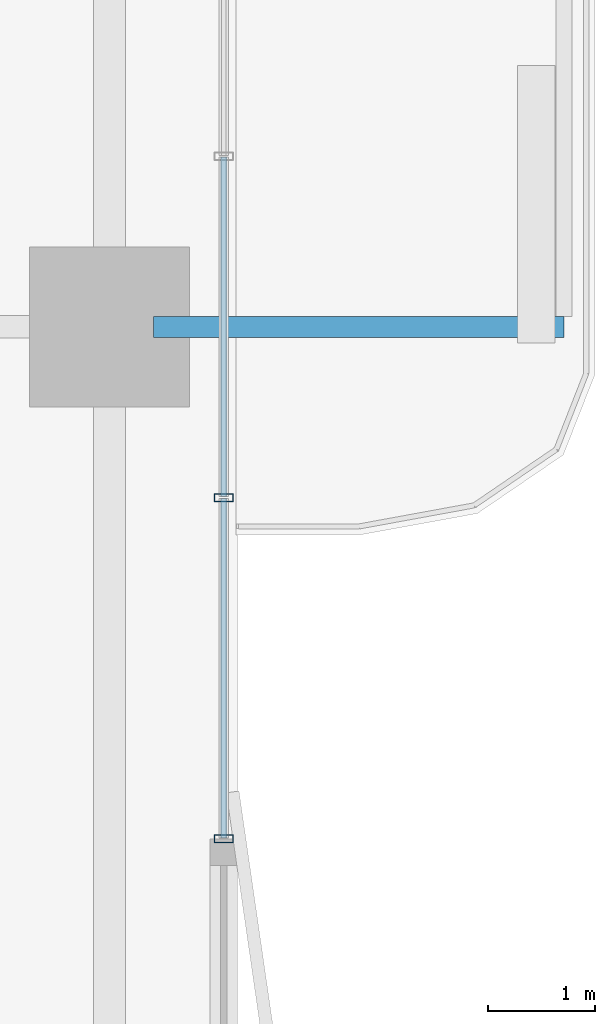
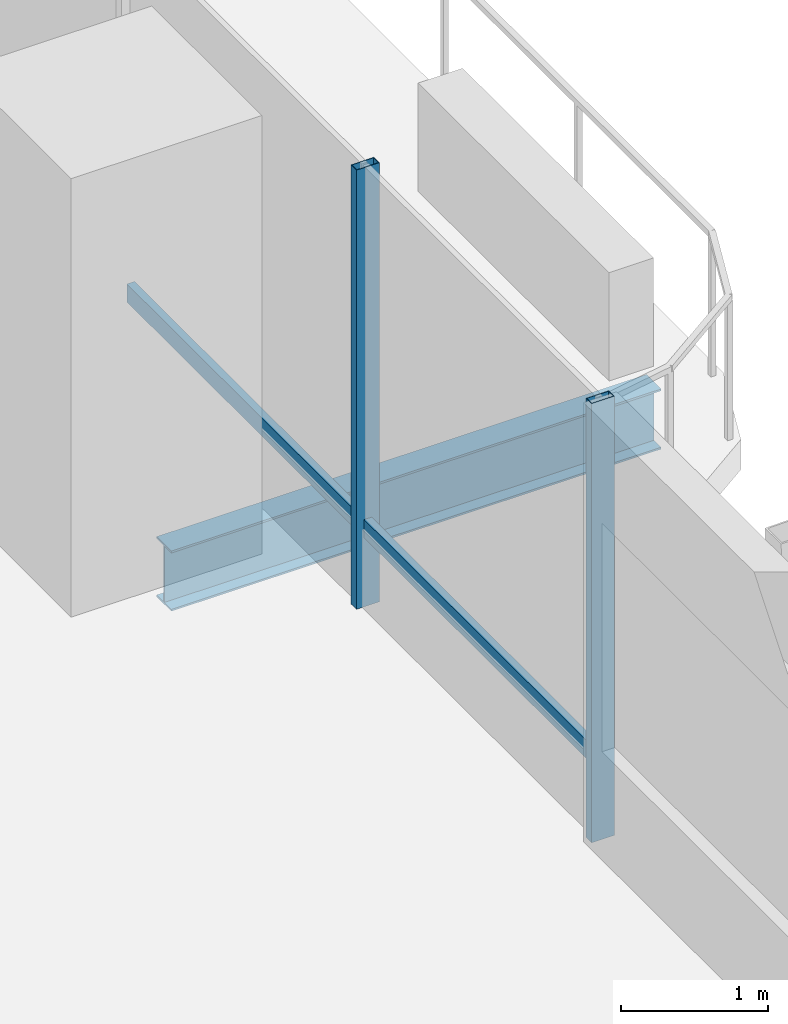
# One storey, part 8 of 24: 4 members, 1 beam, 1 element without a shape of its own.
"""IFC4 building model written with IfcOpenShell, lengths in metres."""

from ifc_helpers import new_model, si_unit, direction, frame, origin, origin_2d, place, context, subcontext, project, spatial, hollow_rectangle, i_section, extrude, material, layer, layer_set, material_profile, profile_set, type_object, element, aggregate, save


model = new_model("IFC4")

# Units and contexts
model_context = context("Model", 3, precision=1e-05, world=origin(), true_north=direction((0.0, 1.0)))
body_context = subcontext(model_context, "Body", "Model", "MODEL_VIEW")
ifc_project = project(units=[si_unit("LENGTHUNIT", "METRE"), si_unit("AREAUNIT", "SQUARE_METRE"), si_unit("VOLUMEUNIT", "CUBIC_METRE"), si_unit("PLANEANGLEUNIT", "RADIAN"), si_unit("MASSUNIT", "GRAM", prefix="KILO")], contexts=[model_context])

# Site, building, storey
site_placement = place(None, origin())
site = spatial("IfcSite", under=ifc_project, at=site_placement, CompositionType="ELEMENT")
building_placement = place(site_placement, origin())
building = spatial("IfcBuilding", under=site, at=building_placement, Name="Belovzor Exchange Tower", CompositionType="ELEMENT")
storey_placement = place(building_placement, frame((0.0, 0.0, 80.699951171875)))
storey = spatial("IfcBuildingStorey", under=building, at=storey_placement, Name="L19", CompositionType="ELEMENT", Elevation=80.699951171875)

# Beam
ifc_material_1 = material(Name="Steel S355", Category="steel")
ifc_material_profile_1 = material_profile(ifc_material_1, i_section(OverallWidth=0.199951171875, OverallDepth=0.5, WebThickness=0.01025390625, FlangeThickness=0.01611328125, at=origin_2d()))
ifc_profile_set_1 = profile_set([ifc_material_profile_1], Name="Steel S355")
beam_type = type_object("IfcBeamType", Name="Planted Balcony Cantilever Beam IPE 500", PredefinedType="BEAM", material=ifc_profile_set_1)
beam_placement = place(storey_placement, frame((55.9130859375, 28.800048828125, -0.5), z_axis=(1.0, 0.0, 0.0), x_axis=(0.0, 1.0, 0.0)))
element("IfcBeam", 1, at=beam_placement, inside=storey, type_object=beam_type, Name="BC-500 Planted Balcony Cantilever Beam IPE 500", PredefinedType="BEAM", context=body_context, shape_type="SweptSolid", body=[
    extrude(i_section(OverallWidth=0.199951171875, OverallDepth=0.5, WebThickness=0.01025390625, FlangeThickness=0.01611328125, at=origin_2d()), origin(), (0.0, 0.0, 1.0), 3.849853515625),
])

# Curtain wall, members
ifc_material_2 = material(Name="Anodised Aluminium Framing", Category="aluminium")
ifc_layer = layer(ifc_material_2, 0.179931640625)
ifc_layer_set = layer_set([ifc_layer], Name="Anodised Aluminium Framing")
curtain_wall_type = type_object("IfcCurtainWallType", Name="Recessed Loggia Low-Iron Triple-Glazed Curtain Wall", PredefinedType="NOTDEFINED", material=ifc_layer_set)
curtain_wall_placement = place(storey_placement, origin())
curtain_wall = element("IfcCurtainWall", 2, at=curtain_wall_placement, inside=storey, type_object=curtain_wall_type, Name="CW3 Recessed Loggia Low-Iron Triple-Glazed Curtain Wall L19", PredefinedType="NOTDEFINED")
ifc_material_3 = material(Name="Steel S355", Category="steel")
ifc_material_profile_2 = material_profile(ifc_material_3, hollow_rectangle(XDim=0.074951171875, YDim=0.179931640625, WallThickness=0.0048828125, at=origin_2d()))
ifc_profile_set_2 = profile_set([ifc_material_profile_2], Name="Steel S355")
member_type_1 = type_object("IfcMemberType", Name="Thermally Broken Curtain Wall Mullion 180x75", PredefinedType="MULLION", material=ifc_profile_set_2)
member_1_placement = place(storey_placement, frame((56.570068359375, 27.199951171875, 0.0), z_axis=(0.0, 0.0, 1.0), x_axis=(0.0, -1.0, 0.0)))
member_1 = element("IfcMember", 3, at=member_1_placement, type_object=member_type_1, Name="CW-M180 Curtain Wall Mullion 3", PredefinedType="MULLION", context=body_context, shape_type="SweptSolid", body=[
    extrude(hollow_rectangle(XDim=0.074951171875, YDim=0.179931640625, WallThickness=0.0048828125, at=origin_2d()), origin(), (0.0, 0.0, 1.0), 3.650146484375),
])
member_2_placement = place(storey_placement, frame((56.570068359375, 24.0, 0.0), z_axis=(0.0, 0.0, 1.0), x_axis=(0.0, -1.0, 0.0)))
member_2 = element("IfcMember", 4, at=member_2_placement, type_object=member_type_1, Name="CW-M180 Curtain Wall Mullion 4", PredefinedType="MULLION", context=body_context, shape_type="SweptSolid", body=[
    extrude(hollow_rectangle(XDim=0.074951171875, YDim=0.179931640625, WallThickness=0.0048828125, at=origin_2d()), origin(), (0.0, 0.0, 1.0), 3.650146484375),
])
ifc_material_4 = material(Name="Steel S355", Category="steel")
ifc_material_profile_3 = material_profile(ifc_material_4, hollow_rectangle(XDim=0.06005859375, YDim=0.14990234375, WallThickness=0.00390625, at=origin_2d()))
ifc_profile_set_3 = profile_set([ifc_material_profile_3], Name="Steel S355")
member_type_2 = type_object("IfcMemberType", Name="Thermally Broken Curtain Wall Transom 150x60", PredefinedType="USERDEFINED", material=ifc_profile_set_3)
member_3_placement = place(storey_placement, frame((56.570068359375, 30.39208984375, 0.650146484375), z_axis=(0.0, -1.0, 0.0), x_axis=(1.0, 0.0, 0.0)))
member_3 = element("IfcMember", 5, at=member_3_placement, type_object=member_type_2, Name="CW-T150 Curtain Wall Transom 2", ObjectType="TRANSOM", PredefinedType="USERDEFINED", context=body_context, shape_type="SweptSolid", body=[
    extrude(hollow_rectangle(XDim=0.06005859375, YDim=0.14990234375, WallThickness=0.00390625, at=origin_2d()), origin(), (0.0, 0.0, 1.0), 3.18408203125),
])
member_4_placement = place(storey_placement, frame((56.570068359375, 27.19189453125, 0.650146484375), z_axis=(0.0, -1.0, 0.0), x_axis=(1.0, 0.0, 0.0)))
member_4 = element("IfcMember", 6, at=member_4_placement, type_object=member_type_2, Name="CW-T150 Curtain Wall Transom 3", ObjectType="TRANSOM", PredefinedType="USERDEFINED", context=body_context, shape_type="SweptSolid", body=[
    extrude(hollow_rectangle(XDim=0.06005859375, YDim=0.14990234375, WallThickness=0.00390625, at=origin_2d()), origin(), (0.0, 0.0, 1.0), 3.183837890625),
])
aggregate(curtain_wall, [member_1, member_2, member_3, member_4])

save(model, "model.ifc")
